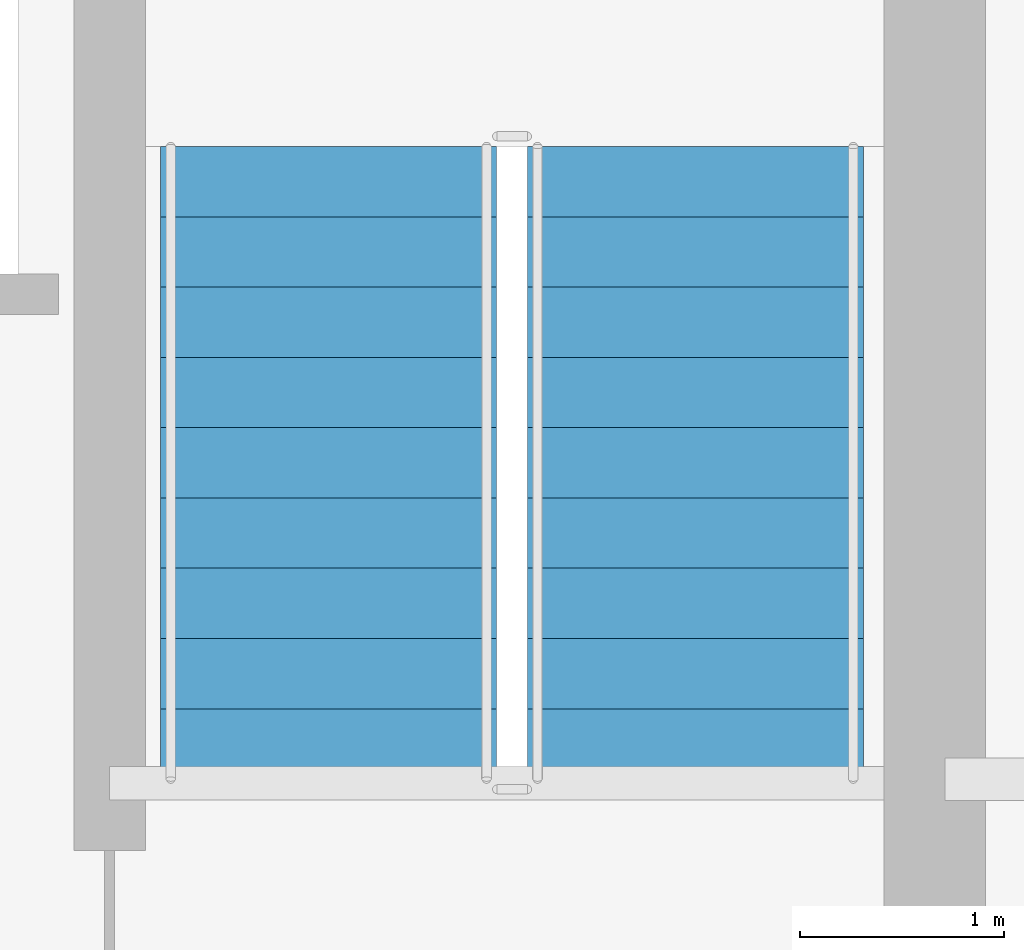
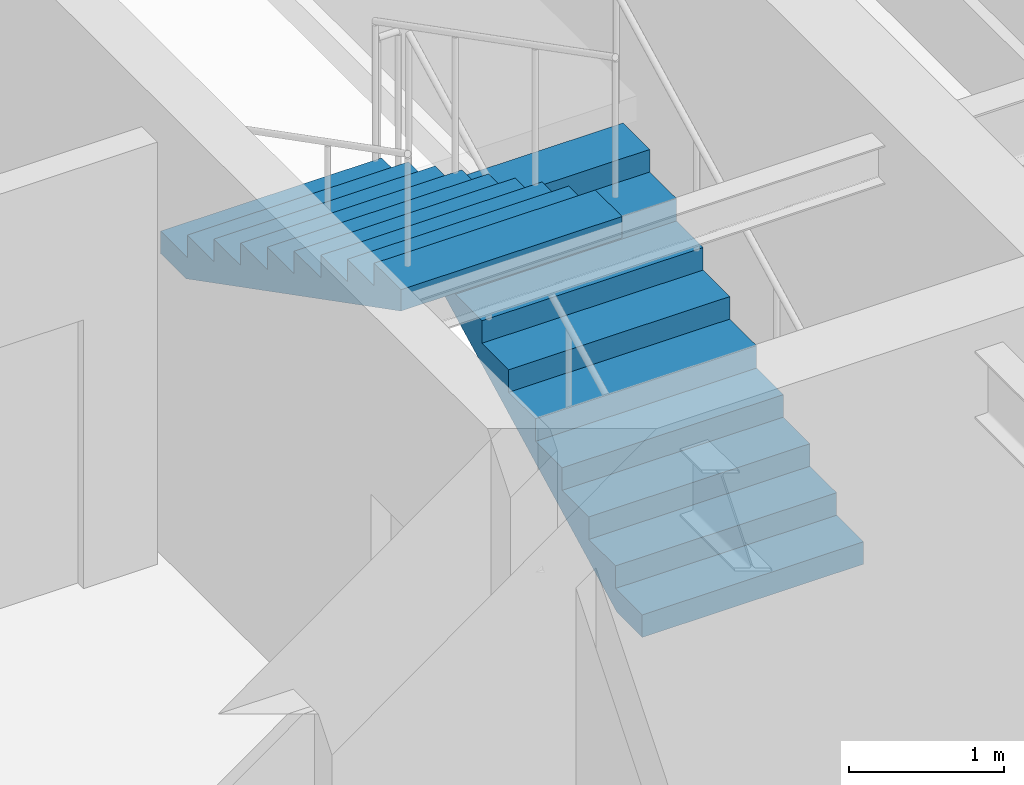
# One storey, part 10 of 15: 2 stair flights, 1 element without a shape of its own.
"""IFC4 building model written with IfcOpenShell, lengths in metres."""

import ifcopenshell
import ifcopenshell.guid

model = None  # the IFC model being written
_history = None  # IfcOwnerHistory: only IFC2X3 demands one
_inside = {}  # id of a spatial element -> (the spatial element, [elements in it])
_under = {}  # id of a project, library or spatial element -> (it, [spatial elements below it])
_declared = {}  # id of a project -> (the project, [libraries it declares])
_typed = {}  # id of a type object -> (the type object, [elements of that type])
_made_of = {}  # id of a material, layer set ... -> (it, [elements and type objects made of it])


def new_model(schema):
    """Start an empty IFC model of exactly this schema.

    Asked for "IFC4X3", IfcOpenShell would pick the latest addendum, in which some entities
    have other attributes; the version numbers below select the first issue.
    IFC2X3 requires an IfcOwnerHistory on every rooted entity: one is made here for all.
    """
    global model, _history
    if schema == "IFC4X3":
        model = ifcopenshell.file(schema_version=(4, 3, 0, 0))
    else:
        model = ifcopenshell.file(schema=schema)
    _inside.clear()
    _under.clear()
    _declared.clear()
    _typed.clear()
    _made_of.clear()
    _history = None
    if model.schema == "IFC2X3":
        org = make("IfcOrganization", Name="unknown")
        user = make(
            "IfcPersonAndOrganization",
            ThePerson=make("IfcPerson", FamilyName="unknown"),
            TheOrganization=org,
        )
        app = make(
            "IfcApplication",
            ApplicationDeveloper=org,
            Version="unknown",
            ApplicationFullName="unknown",
            ApplicationIdentifier="unknown",
        )
        _history = make(
            "IfcOwnerHistory",
            OwningUser=user,
            OwningApplication=app,
            ChangeAction="ADDED",
            CreationDate=0,
        )
    return model


def make(cls, **values):
    """One entity of the class cls with the attributes given. An attribute that is None is left unset."""
    return model.create_entity(
        cls, **{name: value for name, value in values.items() if value is not None}
    )


def rooted(cls, **values):
    """An entity with a GlobalId (a new one), such as an element, a storey or a relation."""
    return make(cls, GlobalId=ifcopenshell.guid.new(), OwnerHistory=_history, **values)


def si_unit(unit_type, name, prefix=None):
    """IfcSIUnit, for example si_unit("LENGTHUNIT", "METRE", prefix="MILLI")."""
    return make("IfcSIUnit", UnitType=unit_type, Prefix=prefix, Name=name)


def assignment(units):
    """IfcUnitAssignment: the units of a project."""
    return None if units is None else make("IfcUnitAssignment", Units=units)


def point(xyz):
    """IfcCartesianPoint."""
    return None if xyz is None else make("IfcCartesianPoint", Coordinates=xyz)


def direction(xyz):
    """IfcDirection."""
    return None if xyz is None else make("IfcDirection", DirectionRatios=xyz)


def frame(location, z_axis=None, x_axis=None):
    """IfcAxis2Placement3D, a coordinate frame: its origin and axes. An axis left out is left unset."""
    return make(
        "IfcAxis2Placement3D",
        Location=point(location),
        Axis=direction(z_axis),
        RefDirection=direction(x_axis),
    )


def origin():
    """The frame at (0, 0, 0) with its axes left unset."""
    return frame((0.0, 0.0, 0.0))


def place(relative_to, where):
    """IfcLocalPlacement: puts the frame where relative to a parent placement (None: the world)."""
    return make(
        "IfcLocalPlacement", PlacementRelTo=relative_to, RelativePlacement=where
    )


def context(
    kind, dimensions, precision=None, world=None, true_north=None, identifier=None
):
    """IfcGeometricRepresentationContext, for example the 3D "Model" context."""
    return make(
        "IfcGeometricRepresentationContext",
        ContextIdentifier=identifier,
        ContextType=kind,
        CoordinateSpaceDimension=dimensions,
        Precision=precision,
        WorldCoordinateSystem=world,
        TrueNorth=true_north,
    )


def subcontext(parent, identifier, kind, view, scale=None):
    """IfcGeometricRepresentationSubContext, for example "Body" below "Model"."""
    return make(
        "IfcGeometricRepresentationSubContext",
        ContextIdentifier=identifier,
        ContextType=kind,
        ParentContext=parent,
        TargetScale=scale,
        TargetView=view,
    )


def project(units=None, contexts=None):
    """IfcProject with its units and contexts."""
    return rooted(
        "IfcProject",
        Name="project",
        RepresentationContexts=contexts,
        UnitsInContext=assignment(units),
    )


def spatial(cls, under=None, at=None, **own):
    """A site, building, storey or space (cls), placed at a placement, below another one or the project."""
    s = rooted(cls, ObjectPlacement=at, **own)
    if under is not None:
        _under.setdefault(under.id(), (under, []))[1].append(s)
    return s


def polyline(points):
    """IfcPolyline through the points."""
    return make("IfcPolyline", Points=[point(p) for p in points])


def outline(outer, holes=None, kind="AREA"):
    """IfcArbitraryClosedProfileDef: a profile drawn as a closed curve; with holes, ...WithVoids."""
    if holes is None:
        return make("IfcArbitraryClosedProfileDef", ProfileType=kind, OuterCurve=outer)
    return make(
        "IfcArbitraryProfileDefWithVoids",
        ProfileType=kind,
        OuterCurve=outer,
        InnerCurves=holes,
    )


def extrude(swept, where, along, depth):
    """IfcExtrudedAreaSolid: the profile swept, set in the frame where, extruded along a direction by depth."""
    return make(
        "IfcExtrudedAreaSolid",
        SweptArea=swept,
        Position=where,
        ExtrudedDirection=direction(along),
        Depth=depth,
    )


def shape(context_of_items, identifier, shape_type, items):
    """IfcShapeRepresentation: the items that make up one representation, for example the "Body"."""
    return make(
        "IfcShapeRepresentation",
        ContextOfItems=context_of_items,
        RepresentationIdentifier=identifier,
        RepresentationType=shape_type,
        Items=items,
    )


def material(Name=None, Category=None):
    """IfcMaterial."""
    return make("IfcMaterial", Name=Name, Category=Category)


def made_of(thing, what):
    """Note that an element or type object is made of a material, layer set ...; save() writes the relation."""
    if what is not None:
        _made_of.setdefault(what.id(), (what, []))[1].append(thing)
    return thing


def type_object(cls, material=None, **own):
    """A type object (cls), such as IfcWallType, which elements share."""
    return made_of(rooted(cls, **own), material)


def element(
    cls,
    number,
    at=None,
    inside=None,
    cuts=None,
    type_object=None,
    material=None,
    context=None,
    identifier="Body",
    shape_type=None,
    held_by="IfcProductDefinitionShape",
    body=None,
    shapes=None,
    **own,
):
    """One element of the class cls, such as IfcWall. Its Tag is "e" and its number.

    at: its placement. inside: the storey or other place that contains it. cuts: it is an
    opening in that element (IfcRelVoidsElement). A single representation is given by context,
    identifier, shape_type and body (its items); several are given by shapes. held_by: the class
    of the entity that holds the representations. save() writes the other relations.
    """
    e = rooted(cls, Tag="e%d" % number, ObjectPlacement=at, **own)
    if body is not None:
        shapes = [shape(context, identifier, shape_type, body)]
    if shapes is not None:
        e.Representation = make(held_by, Representations=shapes)
    if inside is not None:
        _inside.setdefault(inside.id(), (inside, []))[1].append(e)
    if cuts is not None:
        rooted(
            "IfcRelVoidsElement", RelatingBuildingElement=cuts, RelatedOpeningElement=e
        )
    if type_object is not None:
        _typed.setdefault(type_object.id(), (type_object, []))[1].append(e)
    return made_of(e, material)


def aggregate(whole, parts):
    """IfcRelAggregates: a whole, such as a stair, and the parts it consists of."""
    return rooted("IfcRelAggregates", RelatingObject=whole, RelatedObjects=parts)


def save(model, path):
    """Write the relations noted so far, then the file.

    IfcRelAggregates (storeys below a building ...), IfcRelContainedInSpatialStructure (elements
    in a storey), IfcRelDefinesByType, IfcRelAssociatesMaterial and IfcRelDeclares: one each for
    every whole, place, type object, material and project.
    """
    for whole, parts in _under.values():
        aggregate(whole, parts)
    for where, things in _inside.values():
        rooted(
            "IfcRelContainedInSpatialStructure",
            RelatedElements=things,
            RelatingStructure=where,
        )
    for kind, things in _typed.values():
        rooted("IfcRelDefinesByType", RelatedObjects=things, RelatingType=kind)
    for what, things in _made_of.values():
        rooted("IfcRelAssociatesMaterial", RelatedObjects=things, RelatingMaterial=what)
    for by, libraries in _declared.values():
        rooted("IfcRelDeclares", RelatingContext=by, RelatedDefinitions=libraries)
    model.write(path)


model = new_model("IFC4")

# Units and contexts
model_context = context("Model", 3, precision=1e-05, world=origin(), true_north=direction((0.0, 1.0)))
body_context = subcontext(model_context, "Body", "Model", "MODEL_VIEW")
ifc_project = project(units=[si_unit("LENGTHUNIT", "METRE"), si_unit("AREAUNIT", "SQUARE_METRE"), si_unit("VOLUMEUNIT", "CUBIC_METRE"), si_unit("PLANEANGLEUNIT", "RADIAN"), si_unit("MASSUNIT", "GRAM", prefix="KILO")], contexts=[model_context])

# Site, building, storey
site_placement = place(None, origin())
site = spatial("IfcSite", under=ifc_project, at=site_placement, CompositionType="ELEMENT")
building_placement = place(site_placement, origin())
building = spatial("IfcBuilding", under=site, at=building_placement, Name="Tolvann Quenvar Hotel", CompositionType="ELEMENT")
storey_placement = place(building_placement, frame((0.0, 0.0, 278.60009765625)))
storey = spatial("IfcBuildingStorey", under=building, at=storey_placement, Name="L74", CompositionType="ELEMENT", Elevation=278.60009765625)

# Stair, stair flights
ifc_material = material(Name="Concrete N40 (40 MPa)", Category="concrete")
stair_type = type_object("IfcStairType", Name="STAIR", PredefinedType="HALF_TURN_STAIR", material=ifc_material)
stair_placement = place(storey_placement, origin())
stair = element("IfcStair", 1, at=stair_placement, inside=storey, type_object=stair_type, Name="L74 ST-C2", PredefinedType="HALF_TURN_STAIR")
stair_flight_type = type_object("IfcStairFlightType", Name="STAIR_FLIGHT", PredefinedType="STRAIGHT", material=ifc_material)
stair_flight_1_placement = place(storey_placement, frame((34.574951171875, 34.0, 0.0), z_axis=(0.0, 0.0, 1.0), x_axis=(0.0, 1.0, 0.0)))
stair_flight_1 = element("IfcStairFlight", 2, at=stair_flight_1_placement, type_object=stair_flight_type, Name="ST-C2 flight 1", NumberOfRisers=10, NumberOfTreads=9, PredefinedType="STRAIGHT", RiserHeight=0.1775, TreadLength=0.345, context=body_context, shape_type="SweptSolid", body=[
    extrude(outline(polyline([(0.0, 0.0), (0.0, 0.177490234375), (0.344970703125, 0.177490234375), (0.344970703125, 0.35498046875), (0.68994140625, 0.35498046875), (0.68994140625, 0.532470703125), (1.034912109375, 0.532470703125), (1.034912109375, 0.7099609375), (1.3798828125, 0.7099609375), (1.3798828125, 0.887451171875), (1.72509765625, 0.887451171875), (1.72509765625, 1.06494140625), (2.070068359375, 1.06494140625), (2.070068359375, 1.242431640625), (2.4150390625, 1.242431640625), (2.4150390625, 1.419921875), (2.760009765625, 1.419921875), (2.760009765625, 1.597412109375), (3.10498046875, 1.597412109375), (3.10498046875, 1.77490234375), (3.10498046875, 1.428955078125), (0.32763671875, 0.0), (0.0, 0.0)])), frame((0.0, 0.824951171875, 0.0), z_axis=(0.0, -1.0, 0.0), x_axis=(1.0, 0.0, 0.0)), (0.0, 0.0, 1.0), 1.64990234375),
])
stair_flight_2_placement = place(storey_placement, frame((32.77490234375, 37.10498046875, 1.77490234375), z_axis=(0.0, 0.0, 1.0), x_axis=(0.0, -1.0, 0.0)))
stair_flight_2 = element("IfcStairFlight", 3, at=stair_flight_2_placement, type_object=stair_flight_type, Name="ST-C2 flight 2", NumberOfRisers=10, NumberOfTreads=9, PredefinedType="STRAIGHT", RiserHeight=0.1775, TreadLength=0.345, context=body_context, shape_type="SweptSolid", body=[
    extrude(outline(polyline([(0.0, 0.0), (0.0, 0.177490234375), (0.344970703125, 0.177490234375), (0.344970703125, 0.35498046875), (0.68994140625, 0.35498046875), (0.68994140625, 0.532470703125), (1.034912109375, 0.532470703125), (1.034912109375, 0.7099609375), (1.3798828125, 0.7099609375), (1.3798828125, 0.887451171875), (1.72509765625, 0.887451171875), (1.72509765625, 1.06494140625), (2.070068359375, 1.06494140625), (2.070068359375, 1.242431640625), (2.4150390625, 1.242431640625), (2.4150390625, 1.419921875), (2.760009765625, 1.419921875), (2.760009765625, 1.597412109375), (3.10498046875, 1.597412109375), (3.10498046875, 1.77490234375), (3.10498046875, 1.428955078125), (0.32763671875, 0.0), (0.0, 0.0)])), frame((0.0, 0.824951171875, 0.0), z_axis=(0.0, -1.0, 0.0), x_axis=(1.0, 0.0, 0.0)), (0.0, 0.0, 1.0), 1.64990234375),
])
aggregate(stair, [stair_flight_1, stair_flight_2])

save(model, "model.ifc")
